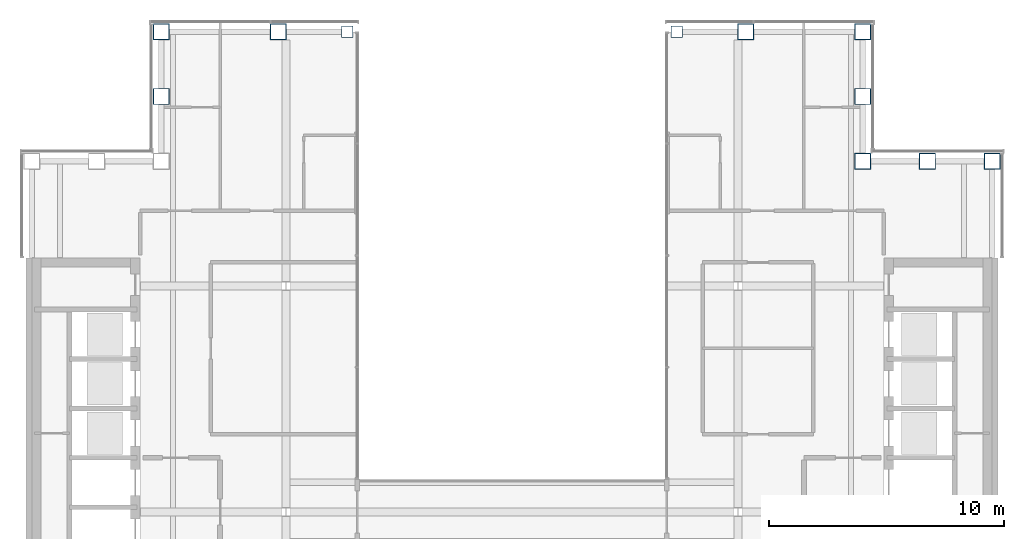
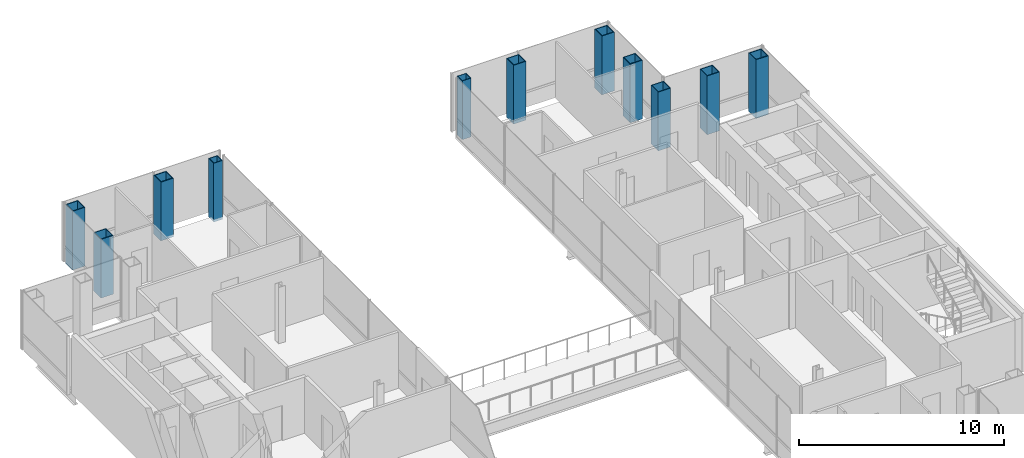
# One storey, part 2 of 15: 11 columns.
"""IFC4 building model written with IfcOpenShell, lengths in metres."""

from ifc_helpers import new_model, si_unit, direction, frame, origin, origin_2d, place, context, subcontext, project, spatial, hollow_rectangle, extrude, material, material_profile, profile_set, type_object, element, save


model = new_model("IFC4")

# Units and contexts
model_context = context("Model", 3, precision=1e-05, world=origin(), true_north=direction((0.0, 1.0)))
body_context = subcontext(model_context, "Body", "Model", "MODEL_VIEW")
ifc_project = project(units=[si_unit("LENGTHUNIT", "METRE"), si_unit("AREAUNIT", "SQUARE_METRE"), si_unit("VOLUMEUNIT", "CUBIC_METRE"), si_unit("PLANEANGLEUNIT", "RADIAN"), si_unit("MASSUNIT", "GRAM", prefix="KILO")], contexts=[model_context])

# Site, building, storey
site_placement = place(None, origin())
site = spatial("IfcSite", under=ifc_project, at=site_placement, CompositionType="ELEMENT")
building_placement = place(site_placement, origin())
building = spatial("IfcBuilding", under=site, at=building_placement, Name="Cobrizo Arcos Hotel Tower", CompositionType="ELEMENT")
storey_placement = place(building_placement, frame((0.0, 0.0, 222.5)))
storey = spatial("IfcBuildingStorey", under=building, at=storey_placement, Name="L58", CompositionType="ELEMENT", Elevation=222.5)

# Columns
ifc_material = material(Name="Steel ASTM A572 Grade 50", Category="steel")
ifc_material_profile_1 = material_profile(ifc_material, hollow_rectangle(XDim=0.5, YDim=0.5, WallThickness=0.030029296875, at=origin_2d()), Name="BOX 500X500X30")
ifc_profile_set_1 = profile_set([ifc_material_profile_1], Name="Steel ASTM A572 Grade 50")
column_type_1 = type_object("IfcColumnType", Name="BOX 500X500X30 column", PredefinedType="COLUMN", material=ifc_profile_set_1)
for number, where, z_axis, x_axis, name in (
    (1, (-7.0, 20.39990234375, -0.14990234375), (0.0, 0.0, 1.0), (1.0, 0.0, 0.0), "Perimeter column C11, L58, no. 24"),
    (2, (7.0, 20.39990234375, -0.14990234375), (0.0, 0.0, 1.0), (1.0, 0.0, 0.0), "Perimeter column C11, L58, no. 26"),
):
    element("IfcColumn", number, at=place(storey_placement, frame(where, z_axis=z_axis, x_axis=x_axis)), inside=storey, type_object=column_type_1, Name=name, PredefinedType="COLUMN", context=body_context, shape_type="SweptSolid", body=[
        extrude(hollow_rectangle(XDim=0.5, YDim=0.5, WallThickness=0.030029296875, at=origin_2d()), origin(), (0.0, 0.0, 1.0), 3.5),
    ])
ifc_material_profile_2 = material_profile(ifc_material, hollow_rectangle(XDim=0.699951171875, YDim=0.699951171875, WallThickness=0.0400390625, at=origin_2d()), Name="BOX 700X700X40")
ifc_profile_set_2 = profile_set([ifc_material_profile_2], Name="Steel ASTM A572 Grade 50")
column_type_2 = type_object("IfcColumnType", Name="BOX 700X700X40 column", PredefinedType="COLUMN", material=ifc_profile_set_2)
for number, where, z_axis, x_axis, name in (
    (3, (-14.89990234375, 20.39990234375, -0.14990234375), (0.0, 0.0, 1.0), (1.0, 0.0, 0.0), "Perimeter column C10, L58, no. 00"),
    (4, (-9.93310546875, 20.39990234375, -0.14990234375), (0.0, 0.0, 1.0), (1.0, 0.0, 0.0), "Perimeter column C10, L58, no. 02"),
    (5, (9.93310546875, 20.39990234375, -0.14990234375), (0.0, 0.0, 1.0), (1.0, 0.0, 0.0), "Perimeter column C10, L58, no. 04"),
    (6, (14.89990234375, 20.39990234375, -0.14990234375), (0.0, 0.0, 1.0), (1.0, 0.0, 0.0), "Perimeter column C10, L58, no. 06"),
    (7, (20.39990234375, 14.89990234375, -0.14990234375), (0.0, 0.0, 1.0), (1.0, 0.0, 0.0), "Perimeter column C10, L58, no. 10"),
    (8, (-14.89990234375, 17.64990234375, -0.14990234375), (0.0, 0.0, 1.0), (1.0, 0.0, 0.0), "Perimeter column C10, L58, no. 16"),
    (9, (14.89990234375, 14.89990234375, -0.14990234375), (0.0, 0.0, 1.0), (1.0, 0.0, 0.0), "Perimeter column C10, L58, no. 21"),
    (10, (14.89990234375, 17.64990234375, -0.14990234375), (0.0, 0.0, 1.0), (1.0, 0.0, 0.0), "Perimeter column C10, L58, no. 22"),
    (11, (17.64990234375, 14.89990234375, -0.14990234375), (0.0, 0.0, 1.0), (1.0, 0.0, 0.0), "Perimeter column C10, L58, no. 23"),
):
    element("IfcColumn", number, at=place(storey_placement, frame(where, z_axis=z_axis, x_axis=x_axis)), inside=storey, type_object=column_type_2, Name=name, PredefinedType="COLUMN", context=body_context, shape_type="SweptSolid", body=[
        extrude(hollow_rectangle(XDim=0.699951171875, YDim=0.699951171875, WallThickness=0.0400390625, at=origin_2d()), origin(), (0.0, 0.0, 1.0), 3.5),
    ])

save(model, "model.ifc")
